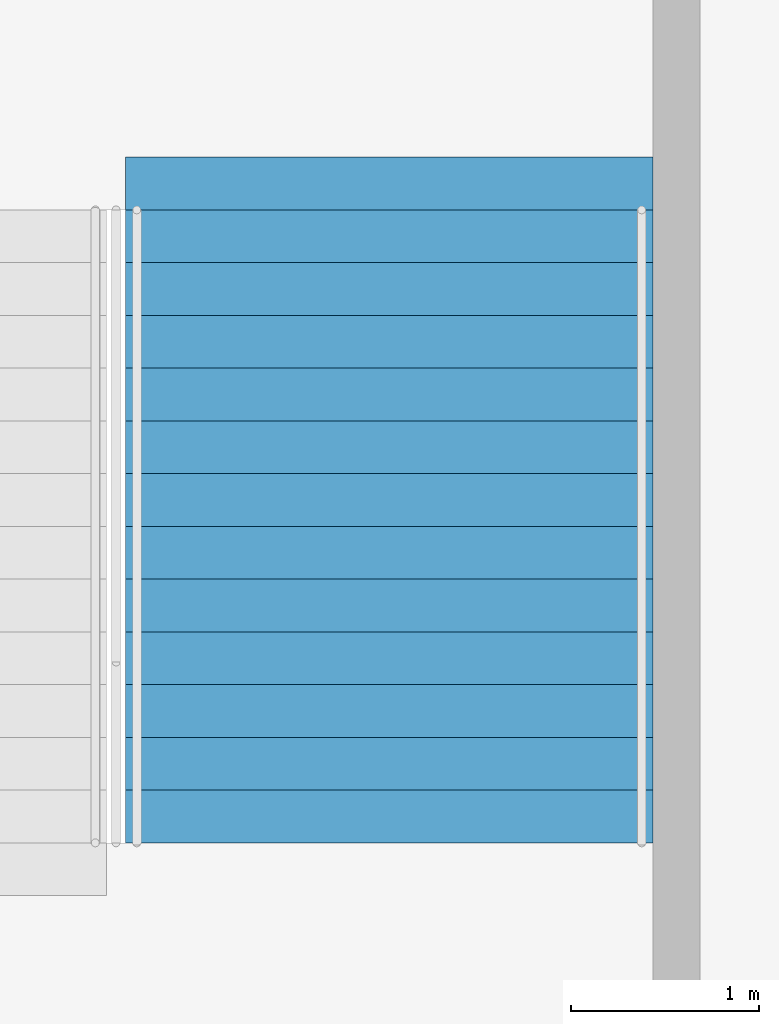
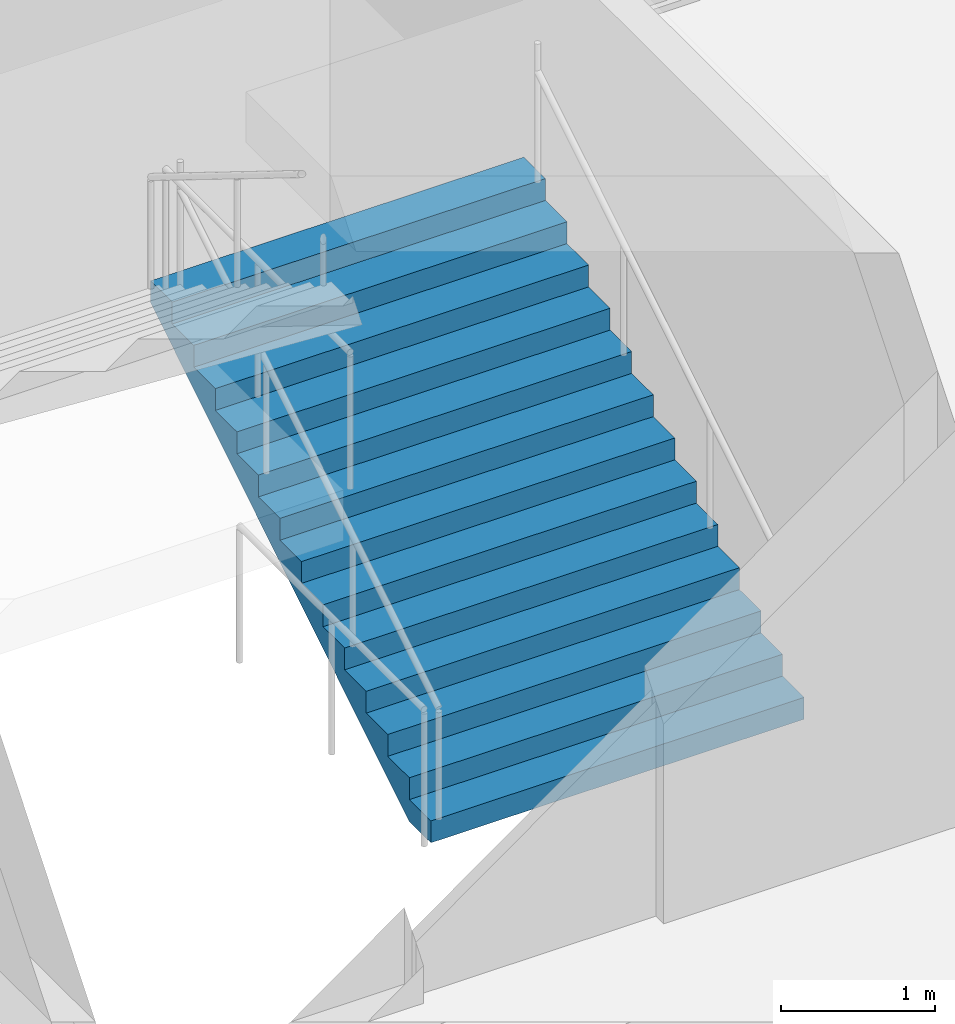
# One storey, part 214 of 249: 1 stair flight, 1 element without a shape of its own.
"""IFC4 building model written with IfcOpenShell, lengths in metres."""

from ifc_helpers import new_model, si_unit, direction, frame, origin, place, context, subcontext, project, spatial, faceted_brep, material, type_object, element, aggregate, save


model = new_model("IFC4")

# Units and contexts
model_context = context("Model", 3, precision=1e-05, world=origin(), true_north=direction((0.0, 1.0)))
body_context = subcontext(model_context, "Body", "Model", "MODEL_VIEW")
ifc_project = project(units=[si_unit("LENGTHUNIT", "METRE"), si_unit("AREAUNIT", "SQUARE_METRE"), si_unit("VOLUMEUNIT", "CUBIC_METRE"), si_unit("PLANEANGLEUNIT", "RADIAN"), si_unit("MASSUNIT", "GRAM", prefix="KILO")], contexts=[model_context])

# Site, building, storey
site_placement = place(None, origin())
site = spatial("IfcSite", under=ifc_project, at=site_placement, CompositionType="ELEMENT")
building_placement = place(site_placement, origin())
building = spatial("IfcBuilding", under=site, at=building_placement, Name="Ogive Plaza Stadium", CompositionType="ELEMENT")
storey_placement = place(building_placement, frame((0.0, 0.0, 13.5)))
storey = spatial("IfcBuildingStorey", under=building, at=storey_placement, Name="L03", CompositionType="ELEMENT", Elevation=13.5)

# Stair, stair flight
ifc_material_1 = material(Name="Concrete C40/50", Category="concrete")
stair_type = type_object("IfcStairType", Name="Exit stair", PredefinedType="STRAIGHT_RUN_STAIR", material=ifc_material_1)
stair_placement = place(storey_placement, origin())
stair = element("IfcStair", 1, at=stair_placement, inside=storey, type_object=stair_type, Name="Exit stair ST34A L03 to L04", PredefinedType="STRAIGHT_RUN_STAIR")
ifc_material_2 = material(Name="Concrete C40/50", Category="concrete")
stair_flight_type = type_object("IfcStairFlightType", Name="Exit stair flight", PredefinedType="STRAIGHT", material=ifc_material_2)
stair_flight_placement = place(storey_placement, frame((-2.375, 94.85009765625, 0.0), z_axis=(0.0, 0.0, 1.0), x_axis=(0.0, 1.0, 0.0)))
stair_flight = element("IfcStairFlight", 2, at=stair_flight_placement, type_object=stair_flight_type, Name="ST34A flight 1", NumberOfRisers=13, NumberOfTreads=12, PredefinedType="STRAIGHT", RiserHeight=0.173076923, TreadLength=0.28, context=body_context, shape_type="Brep", body=[
    faceted_brep([(0.28515625, -1.39990234375, 0.0), (3.639892578125, -1.39990234375, 2.07373046875), (3.639892578125, -1.39990234375, 2.25), (3.360107421875, -1.39990234375, 2.25), (3.360107421875, -1.39990234375, 2.076904296875), (3.080078125, -1.39990234375, 2.076904296875), (3.080078125, -1.39990234375, 1.90380859375), (2.800048828125, -1.39990234375, 1.90380859375), (2.800048828125, -1.39990234375, 1.730712890625), (2.52001953125, -1.39990234375, 1.730712890625), (2.52001953125, -1.39990234375, 1.5576171875), (2.239990234375, -1.39990234375, 1.5576171875), (2.239990234375, -1.39990234375, 1.384521484375), (1.9599609375, -1.39990234375, 1.384521484375), (1.9599609375, -1.39990234375, 1.21142578125), (1.679931640625, -1.39990234375, 1.21142578125), (1.679931640625, -1.39990234375, 1.03857421875), (1.39990234375, -1.39990234375, 1.03857421875), (1.39990234375, -1.39990234375, 0.865478515625), (1.1201171875, -1.39990234375, 0.865478515625), (1.1201171875, -1.39990234375, 0.6923828125), (0.840087890625, -1.39990234375, 0.6923828125), (0.840087890625, -1.39990234375, 0.519287109375), (0.56005859375, -1.39990234375, 0.519287109375), (0.56005859375, -1.39990234375, 0.34619140625), (0.280029296875, -1.39990234375, 0.34619140625), (0.280029296875, -1.39990234375, 0.173095703125), (0.0, -1.39990234375, 0.173095703125), (0.0, -1.39990234375, 0.0), (0.0, 1.39990234375, 0.0), (0.0, 1.39990234375, 0.173095703125), (0.280029296875, 1.39990234375, 0.173095703125), (0.280029296875, 1.39990234375, 0.34619140625), (0.56005859375, 1.39990234375, 0.34619140625), (0.56005859375, 1.39990234375, 0.519287109375), (0.840087890625, 1.39990234375, 0.519287109375), (0.840087890625, 1.39990234375, 0.6923828125), (1.1201171875, 1.39990234375, 0.6923828125), (1.1201171875, 1.39990234375, 0.865478515625), (1.39990234375, 1.39990234375, 0.865478515625), (1.39990234375, 1.39990234375, 1.03857421875), (1.679931640625, 1.39990234375, 1.03857421875), (1.679931640625, 1.39990234375, 1.21142578125), (1.9599609375, 1.39990234375, 1.21142578125), (1.9599609375, 1.39990234375, 1.384521484375), (2.239990234375, 1.39990234375, 1.384521484375), (2.239990234375, 1.39990234375, 1.5576171875), (2.52001953125, 1.39990234375, 1.5576171875), (2.52001953125, 1.39990234375, 1.730712890625), (2.800048828125, 1.39990234375, 1.730712890625), (2.800048828125, 1.39990234375, 1.90380859375), (3.080078125, 1.39990234375, 1.90380859375), (3.080078125, 1.39990234375, 2.076904296875), (3.360107421875, 1.39990234375, 2.076904296875), (3.360107421875, 1.39990234375, 2.25), (3.639892578125, 1.39990234375, 2.25), (3.639892578125, 1.39990234375, 2.07373046875), (0.28515625, 1.39990234375, 0.0), (0.28515625, -1.0888671875, 0.0), (3.639892578125, -1.0888671875, 2.07373046875), (0.28515625, -0.77783203125, 0.0), (3.639892578125, -0.77783203125, 2.07373046875), (0.28515625, -0.466796875, 0.0), (3.639892578125, -0.466796875, 2.07373046875), (0.28515625, -0.155517578125, 0.0), (3.639892578125, -0.155517578125, 2.07373046875), (0.28515625, 0.155517578125, 0.0), (3.639892578125, 0.155517578125, 2.07373046875), (0.28515625, 0.466796875, 0.0), (3.639892578125, 0.466796875, 2.07373046875), (0.28515625, 0.77783203125, 0.0), (3.639892578125, 0.77783203125, 2.07373046875), (0.28515625, 1.0888671875, 0.0), (3.639892578125, 1.0888671875, 2.07373046875), (3.639892578125, -1.0888671875, 2.25), (3.639892578125, -0.77783203125, 2.25), (3.639892578125, -0.466796875, 2.25), (3.639892578125, -0.155517578125, 2.25), (3.639892578125, 0.155517578125, 2.25), (3.639892578125, 0.466796875, 2.25), (3.639892578125, 0.77783203125, 2.25), (3.639892578125, 1.0888671875, 2.25), (3.360107421875, -1.0888671875, 2.25), (3.360107421875, -0.77783203125, 2.25), (3.360107421875, -0.466796875, 2.25), (3.360107421875, -0.155517578125, 2.25), (3.360107421875, 0.155517578125, 2.25), (3.360107421875, 0.466796875, 2.25), (3.360107421875, 0.77783203125, 2.25), (3.360107421875, 1.0888671875, 2.25), (3.360107421875, -1.0888671875, 2.076904296875), (3.360107421875, -0.77783203125, 2.076904296875), (3.360107421875, -0.466796875, 2.076904296875), (3.360107421875, -0.155517578125, 2.076904296875), (3.360107421875, 0.155517578125, 2.076904296875), (3.360107421875, 0.466796875, 2.076904296875), (3.360107421875, 0.77783203125, 2.076904296875), (3.360107421875, 1.0888671875, 2.076904296875), (3.080078125, -1.0888671875, 2.076904296875), (3.080078125, -0.77783203125, 2.076904296875), (3.080078125, -0.466796875, 2.076904296875), (3.080078125, -0.155517578125, 2.076904296875), (3.080078125, 0.155517578125, 2.076904296875), (3.080078125, 0.466796875, 2.076904296875), (3.080078125, 0.77783203125, 2.076904296875), (3.080078125, 1.0888671875, 2.076904296875), (3.080078125, -1.0888671875, 1.90380859375), (3.080078125, -0.77783203125, 1.90380859375), (3.080078125, -0.466796875, 1.90380859375), (3.080078125, -0.155517578125, 1.90380859375), (3.080078125, 0.155517578125, 1.90380859375), (3.080078125, 0.466796875, 1.90380859375), (3.080078125, 0.77783203125, 1.90380859375), (3.080078125, 1.0888671875, 1.90380859375), (2.800048828125, -1.0888671875, 1.90380859375), (2.800048828125, -0.77783203125, 1.90380859375), (2.800048828125, -0.466796875, 1.90380859375), (2.800048828125, -0.155517578125, 1.90380859375), (2.800048828125, 0.155517578125, 1.90380859375), (2.800048828125, 0.466796875, 1.90380859375), (2.800048828125, 0.77783203125, 1.90380859375), (2.800048828125, 1.0888671875, 1.90380859375), (2.800048828125, -1.0888671875, 1.730712890625), (2.800048828125, -0.77783203125, 1.730712890625), (2.800048828125, -0.466796875, 1.730712890625), (2.800048828125, -0.155517578125, 1.730712890625), (2.800048828125, 0.155517578125, 1.730712890625), (2.800048828125, 0.466796875, 1.730712890625), (2.800048828125, 0.77783203125, 1.730712890625), (2.800048828125, 1.0888671875, 1.730712890625), (2.52001953125, -1.0888671875, 1.730712890625), (2.52001953125, -0.77783203125, 1.730712890625), (2.52001953125, -0.466796875, 1.730712890625), (2.52001953125, -0.155517578125, 1.730712890625), (2.52001953125, 0.155517578125, 1.730712890625), (2.52001953125, 0.466796875, 1.730712890625), (2.52001953125, 0.77783203125, 1.730712890625), (2.52001953125, 1.0888671875, 1.730712890625), (2.52001953125, -1.0888671875, 1.5576171875), (2.52001953125, -0.77783203125, 1.5576171875), (2.52001953125, -0.466796875, 1.5576171875), (2.52001953125, -0.155517578125, 1.5576171875), (2.52001953125, 0.155517578125, 1.5576171875), (2.52001953125, 0.466796875, 1.5576171875), (2.52001953125, 0.77783203125, 1.5576171875), (2.52001953125, 1.0888671875, 1.5576171875), (2.239990234375, -1.0888671875, 1.5576171875), (2.239990234375, -0.77783203125, 1.5576171875), (2.239990234375, -0.466796875, 1.5576171875), (2.239990234375, -0.155517578125, 1.5576171875), (2.239990234375, 0.155517578125, 1.5576171875), (2.239990234375, 0.466796875, 1.5576171875), (2.239990234375, 0.77783203125, 1.5576171875), (2.239990234375, 1.0888671875, 1.5576171875), (2.239990234375, -1.0888671875, 1.384521484375), (2.239990234375, -0.77783203125, 1.384521484375), (2.239990234375, -0.466796875, 1.384521484375), (2.239990234375, -0.155517578125, 1.384521484375), (2.239990234375, 0.155517578125, 1.384521484375), (2.239990234375, 0.466796875, 1.384521484375), (2.239990234375, 0.77783203125, 1.384521484375), (2.239990234375, 1.0888671875, 1.384521484375), (1.9599609375, -1.0888671875, 1.384521484375), (1.9599609375, -0.77783203125, 1.384521484375), (1.9599609375, -0.466796875, 1.384521484375), (1.9599609375, -0.155517578125, 1.384521484375), (1.9599609375, 0.155517578125, 1.384521484375), (1.9599609375, 0.466796875, 1.384521484375), (1.9599609375, 0.77783203125, 1.384521484375), (1.9599609375, 1.0888671875, 1.384521484375), (1.9599609375, -1.0888671875, 1.21142578125), (1.9599609375, -0.77783203125, 1.21142578125), (1.9599609375, -0.466796875, 1.21142578125), (1.9599609375, -0.155517578125, 1.21142578125), (1.9599609375, 0.155517578125, 1.21142578125), (1.9599609375, 0.466796875, 1.21142578125), (1.9599609375, 0.77783203125, 1.21142578125), (1.9599609375, 1.0888671875, 1.21142578125), (1.679931640625, -1.0888671875, 1.21142578125), (1.679931640625, -0.77783203125, 1.21142578125), (1.679931640625, -0.466796875, 1.21142578125), (1.679931640625, -0.155517578125, 1.21142578125), (1.679931640625, 0.155517578125, 1.21142578125), (1.679931640625, 0.466796875, 1.21142578125), (1.679931640625, 0.77783203125, 1.21142578125), (1.679931640625, 1.0888671875, 1.21142578125), (1.679931640625, -1.0888671875, 1.03857421875), (1.679931640625, -0.77783203125, 1.03857421875), (1.679931640625, -0.466796875, 1.03857421875), (1.679931640625, -0.155517578125, 1.03857421875), (1.679931640625, 0.155517578125, 1.03857421875), (1.679931640625, 0.466796875, 1.03857421875), (1.679931640625, 0.77783203125, 1.03857421875), (1.679931640625, 1.0888671875, 1.03857421875), (1.39990234375, -1.0888671875, 1.03857421875), (1.39990234375, -0.77783203125, 1.03857421875), (1.39990234375, -0.466796875, 1.03857421875), (1.39990234375, -0.155517578125, 1.03857421875), (1.39990234375, 0.155517578125, 1.03857421875), (1.39990234375, 0.466796875, 1.03857421875), (1.39990234375, 0.77783203125, 1.03857421875), (1.39990234375, 1.0888671875, 1.03857421875), (1.39990234375, -1.0888671875, 0.865478515625), (1.39990234375, -0.77783203125, 0.865478515625), (1.39990234375, -0.466796875, 0.865478515625), (1.39990234375, -0.155517578125, 0.865478515625), (1.39990234375, 0.155517578125, 0.865478515625), (1.39990234375, 0.466796875, 0.865478515625), (1.39990234375, 0.77783203125, 0.865478515625), (1.39990234375, 1.0888671875, 0.865478515625), (1.1201171875, -1.0888671875, 0.865478515625), (1.1201171875, -0.77783203125, 0.865478515625), (1.1201171875, -0.466796875, 0.865478515625), (1.1201171875, -0.155517578125, 0.865478515625), (1.1201171875, 0.155517578125, 0.865478515625), (1.1201171875, 0.466796875, 0.865478515625), (1.1201171875, 0.77783203125, 0.865478515625), (1.1201171875, 1.0888671875, 0.865478515625), (1.1201171875, -1.0888671875, 0.6923828125), (1.1201171875, -0.77783203125, 0.6923828125), (1.1201171875, -0.466796875, 0.6923828125), (1.1201171875, -0.155517578125, 0.6923828125), (1.1201171875, 0.155517578125, 0.6923828125), (1.1201171875, 0.466796875, 0.6923828125), (1.1201171875, 0.77783203125, 0.6923828125), (1.1201171875, 1.0888671875, 0.6923828125), (0.840087890625, -1.0888671875, 0.6923828125), (0.840087890625, -0.77783203125, 0.6923828125), (0.840087890625, -0.466796875, 0.6923828125), (0.840087890625, -0.155517578125, 0.6923828125), (0.840087890625, 0.155517578125, 0.6923828125), (0.840087890625, 0.466796875, 0.6923828125), (0.840087890625, 0.77783203125, 0.6923828125), (0.840087890625, 1.0888671875, 0.6923828125), (0.840087890625, -1.0888671875, 0.519287109375), (0.840087890625, -0.77783203125, 0.519287109375), (0.840087890625, -0.466796875, 0.519287109375), (0.840087890625, -0.155517578125, 0.519287109375), (0.840087890625, 0.155517578125, 0.519287109375), (0.840087890625, 0.466796875, 0.519287109375), (0.840087890625, 0.77783203125, 0.519287109375), (0.840087890625, 1.0888671875, 0.519287109375), (0.56005859375, -1.0888671875, 0.519287109375), (0.56005859375, -0.77783203125, 0.519287109375), (0.56005859375, -0.466796875, 0.519287109375), (0.56005859375, -0.155517578125, 0.519287109375), (0.56005859375, 0.155517578125, 0.519287109375), (0.56005859375, 0.466796875, 0.519287109375), (0.56005859375, 0.77783203125, 0.519287109375), (0.56005859375, 1.0888671875, 0.519287109375), (0.56005859375, -1.0888671875, 0.34619140625), (0.56005859375, -0.77783203125, 0.34619140625), (0.56005859375, -0.466796875, 0.34619140625), (0.56005859375, -0.155517578125, 0.34619140625), (0.56005859375, 0.155517578125, 0.34619140625), (0.56005859375, 0.466796875, 0.34619140625), (0.56005859375, 0.77783203125, 0.34619140625), (0.56005859375, 1.0888671875, 0.34619140625), (0.280029296875, -1.0888671875, 0.34619140625), (0.280029296875, -0.77783203125, 0.34619140625), (0.280029296875, -0.466796875, 0.34619140625), (0.280029296875, -0.155517578125, 0.34619140625), (0.280029296875, 0.155517578125, 0.34619140625), (0.280029296875, 0.466796875, 0.34619140625), (0.280029296875, 0.77783203125, 0.34619140625), (0.280029296875, 1.0888671875, 0.34619140625), (0.280029296875, -1.0888671875, 0.173095703125), (0.280029296875, -0.77783203125, 0.173095703125), (0.280029296875, -0.466796875, 0.173095703125), (0.280029296875, -0.155517578125, 0.173095703125), (0.280029296875, 0.155517578125, 0.173095703125), (0.280029296875, 0.466796875, 0.173095703125), (0.280029296875, 0.77783203125, 0.173095703125), (0.280029296875, 1.0888671875, 0.173095703125), (0.0, -1.0888671875, 0.173095703125), (0.0, -0.77783203125, 0.173095703125), (0.0, -0.466796875, 0.173095703125), (0.0, -0.155517578125, 0.173095703125), (0.0, 0.155517578125, 0.173095703125), (0.0, 0.466796875, 0.173095703125), (0.0, 0.77783203125, 0.173095703125), (0.0, 1.0888671875, 0.173095703125), (0.0, -1.0888671875, 0.0), (0.0, -0.77783203125, 0.0), (0.0, -0.466796875, 0.0), (0.0, -0.155517578125, 0.0), (0.0, 0.155517578125, 0.0), (0.0, 0.466796875, 0.0), (0.0, 0.77783203125, 0.0), (0.0, 1.0888671875, 0.0)], [[[0, 1, 2, 3, 4, 5, 6, 7, 8, 9, 10, 11, 12, 13, 14, 15, 16, 17, 18, 19, 20, 21, 22, 23, 24, 25, 26, 27, 28]], [[29, 30, 31, 32, 33, 34, 35, 36, 37, 38, 39, 40, 41, 42, 43, 44, 45, 46, 47, 48, 49, 50, 51, 52, 53, 54, 55, 56, 57]], [[0, 58, 59, 1]], [[58, 60, 61, 59]], [[60, 62, 63, 61]], [[62, 64, 65, 63]], [[64, 66, 67, 65]], [[66, 68, 69, 67]], [[68, 70, 71, 69]], [[70, 72, 73, 71]], [[72, 57, 56, 73]], [[1, 59, 74, 2]], [[59, 61, 75, 74]], [[61, 63, 76, 75]], [[63, 65, 77, 76]], [[65, 67, 78, 77]], [[67, 69, 79, 78]], [[69, 71, 80, 79]], [[71, 73, 81, 80]], [[73, 56, 55, 81]], [[2, 74, 82, 3]], [[74, 75, 83, 82]], [[75, 76, 84, 83]], [[76, 77, 85, 84]], [[77, 78, 86, 85]], [[78, 79, 87, 86]], [[79, 80, 88, 87]], [[80, 81, 89, 88]], [[81, 55, 54, 89]], [[3, 82, 90, 4]], [[82, 83, 91, 90]], [[83, 84, 92, 91]], [[84, 85, 93, 92]], [[85, 86, 94, 93]], [[86, 87, 95, 94]], [[87, 88, 96, 95]], [[88, 89, 97, 96]], [[89, 54, 53, 97]], [[4, 90, 98, 5]], [[90, 91, 99, 98]], [[91, 92, 100, 99]], [[92, 93, 101, 100]], [[93, 94, 102, 101]], [[94, 95, 103, 102]], [[95, 96, 104, 103]], [[96, 97, 105, 104]], [[97, 53, 52, 105]], [[5, 98, 106, 6]], [[98, 99, 107, 106]], [[99, 100, 108, 107]], [[100, 101, 109, 108]], [[101, 102, 110, 109]], [[102, 103, 111, 110]], [[103, 104, 112, 111]], [[104, 105, 113, 112]], [[105, 52, 51, 113]], [[6, 106, 114, 7]], [[106, 107, 115, 114]], [[107, 108, 116, 115]], [[108, 109, 117, 116]], [[109, 110, 118, 117]], [[110, 111, 119, 118]], [[111, 112, 120, 119]], [[112, 113, 121, 120]], [[113, 51, 50, 121]], [[7, 114, 122, 8]], [[114, 115, 123, 122]], [[115, 116, 124, 123]], [[116, 117, 125, 124]], [[117, 118, 126, 125]], [[118, 119, 127, 126]], [[119, 120, 128, 127]], [[120, 121, 129, 128]], [[121, 50, 49, 129]], [[8, 122, 130, 9]], [[122, 123, 131, 130]], [[123, 124, 132, 131]], [[124, 125, 133, 132]], [[125, 126, 134, 133]], [[126, 127, 135, 134]], [[127, 128, 136, 135]], [[128, 129, 137, 136]], [[129, 49, 48, 137]], [[9, 130, 138, 10]], [[130, 131, 139, 138]], [[131, 132, 140, 139]], [[132, 133, 141, 140]], [[133, 134, 142, 141]], [[134, 135, 143, 142]], [[135, 136, 144, 143]], [[136, 137, 145, 144]], [[137, 48, 47, 145]], [[10, 138, 146, 11]], [[138, 139, 147, 146]], [[139, 140, 148, 147]], [[140, 141, 149, 148]], [[141, 142, 150, 149]], [[142, 143, 151, 150]], [[143, 144, 152, 151]], [[144, 145, 153, 152]], [[145, 47, 46, 153]], [[11, 146, 154, 12]], [[146, 147, 155, 154]], [[147, 148, 156, 155]], [[148, 149, 157, 156]], [[149, 150, 158, 157]], [[150, 151, 159, 158]], [[151, 152, 160, 159]], [[152, 153, 161, 160]], [[153, 46, 45, 161]], [[12, 154, 162, 13]], [[154, 155, 163, 162]], [[155, 156, 164, 163]], [[156, 157, 165, 164]], [[157, 158, 166, 165]], [[158, 159, 167, 166]], [[159, 160, 168, 167]], [[160, 161, 169, 168]], [[161, 45, 44, 169]], [[13, 162, 170, 14]], [[162, 163, 171, 170]], [[163, 164, 172, 171]], [[164, 165, 173, 172]], [[165, 166, 174, 173]], [[166, 167, 175, 174]], [[167, 168, 176, 175]], [[168, 169, 177, 176]], [[169, 44, 43, 177]], [[14, 170, 178, 15]], [[170, 171, 179, 178]], [[171, 172, 180, 179]], [[172, 173, 181, 180]], [[173, 174, 182, 181]], [[174, 175, 183, 182]], [[175, 176, 184, 183]], [[176, 177, 185, 184]], [[177, 43, 42, 185]], [[15, 178, 186, 16]], [[178, 179, 187, 186]], [[179, 180, 188, 187]], [[180, 181, 189, 188]], [[181, 182, 190, 189]], [[182, 183, 191, 190]], [[183, 184, 192, 191]], [[184, 185, 193, 192]], [[185, 42, 41, 193]], [[16, 186, 194, 17]], [[186, 187, 195, 194]], [[187, 188, 196, 195]], [[188, 189, 197, 196]], [[189, 190, 198, 197]], [[190, 191, 199, 198]], [[191, 192, 200, 199]], [[192, 193, 201, 200]], [[193, 41, 40, 201]], [[17, 194, 202, 18]], [[194, 195, 203, 202]], [[195, 196, 204, 203]], [[196, 197, 205, 204]], [[197, 198, 206, 205]], [[198, 199, 207, 206]], [[199, 200, 208, 207]], [[200, 201, 209, 208]], [[201, 40, 39, 209]], [[18, 202, 210, 19]], [[202, 203, 211, 210]], [[203, 204, 212, 211]], [[204, 205, 213, 212]], [[205, 206, 214, 213]], [[206, 207, 215, 214]], [[207, 208, 216, 215]], [[208, 209, 217, 216]], [[209, 39, 38, 217]], [[19, 210, 218, 20]], [[210, 211, 219, 218]], [[211, 212, 220, 219]], [[212, 213, 221, 220]], [[213, 214, 222, 221]], [[214, 215, 223, 222]], [[215, 216, 224, 223]], [[216, 217, 225, 224]], [[217, 38, 37, 225]], [[20, 218, 226, 21]], [[218, 219, 227, 226]], [[219, 220, 228, 227]], [[220, 221, 229, 228]], [[221, 222, 230, 229]], [[222, 223, 231, 230]], [[223, 224, 232, 231]], [[224, 225, 233, 232]], [[225, 37, 36, 233]], [[21, 226, 234, 22]], [[226, 227, 235, 234]], [[227, 228, 236, 235]], [[228, 229, 237, 236]], [[229, 230, 238, 237]], [[230, 231, 239, 238]], [[231, 232, 240, 239]], [[232, 233, 241, 240]], [[233, 36, 35, 241]], [[22, 234, 242, 23]], [[234, 235, 243, 242]], [[235, 236, 244, 243]], [[236, 237, 245, 244]], [[237, 238, 246, 245]], [[238, 239, 247, 246]], [[239, 240, 248, 247]], [[240, 241, 249, 248]], [[241, 35, 34, 249]], [[23, 242, 250, 24]], [[242, 243, 251, 250]], [[243, 244, 252, 251]], [[244, 245, 253, 252]], [[245, 246, 254, 253]], [[246, 247, 255, 254]], [[247, 248, 256, 255]], [[248, 249, 257, 256]], [[249, 34, 33, 257]], [[24, 250, 258, 25]], [[250, 251, 259, 258]], [[251, 252, 260, 259]], [[252, 253, 261, 260]], [[253, 254, 262, 261]], [[254, 255, 263, 262]], [[255, 256, 264, 263]], [[256, 257, 265, 264]], [[257, 33, 32, 265]], [[25, 258, 266, 26]], [[258, 259, 267, 266]], [[259, 260, 268, 267]], [[260, 261, 269, 268]], [[261, 262, 270, 269]], [[262, 263, 271, 270]], [[263, 264, 272, 271]], [[264, 265, 273, 272]], [[265, 32, 31, 273]], [[26, 266, 274, 27]], [[266, 267, 275, 274]], [[267, 268, 276, 275]], [[268, 269, 277, 276]], [[269, 270, 278, 277]], [[270, 271, 279, 278]], [[271, 272, 280, 279]], [[272, 273, 281, 280]], [[273, 31, 30, 281]], [[27, 274, 282, 28]], [[274, 275, 283, 282]], [[275, 276, 284, 283]], [[276, 277, 285, 284]], [[277, 278, 286, 285]], [[278, 279, 287, 286]], [[279, 280, 288, 287]], [[280, 281, 289, 288]], [[281, 30, 29, 289]], [[28, 282, 58, 0]], [[282, 283, 60, 58]], [[283, 284, 62, 60]], [[284, 285, 64, 62]], [[285, 286, 66, 64]], [[286, 287, 68, 66]], [[287, 288, 70, 68]], [[288, 289, 72, 70]], [[289, 29, 57, 72]]]),
])
aggregate(stair, [stair_flight])

save(model, "model.ifc")
